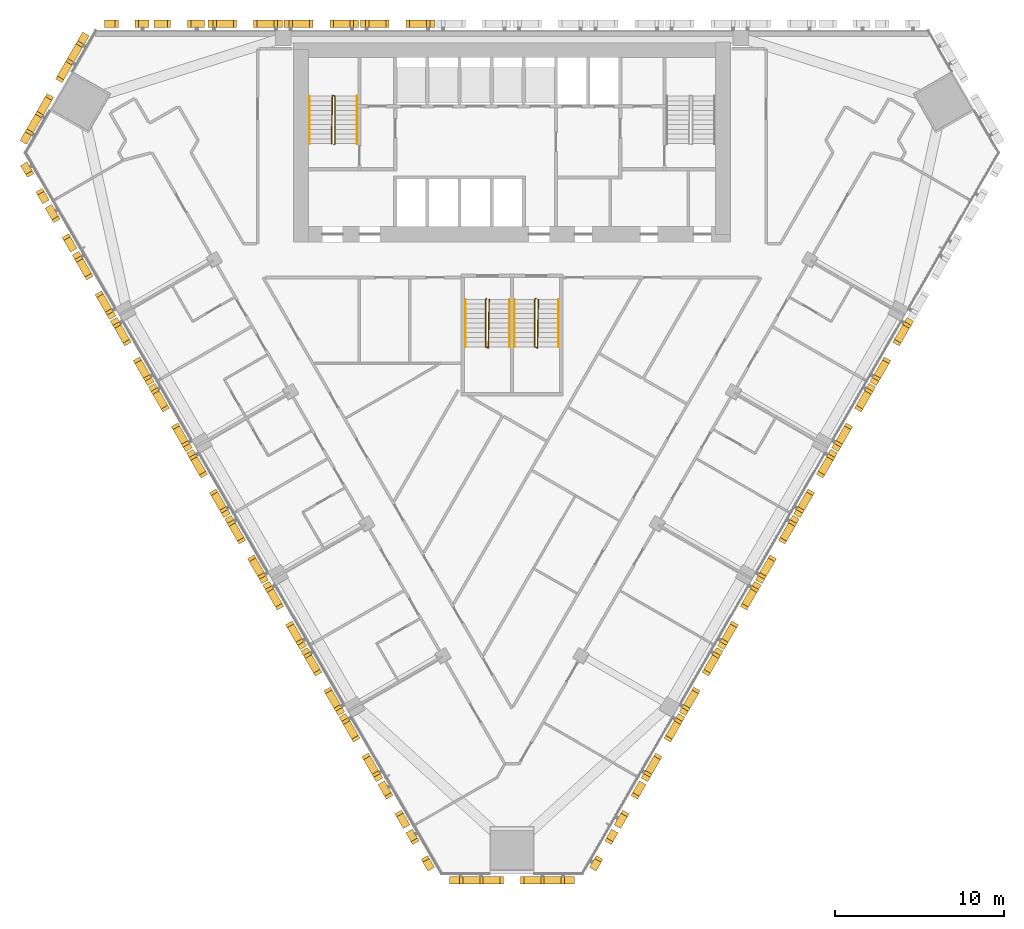
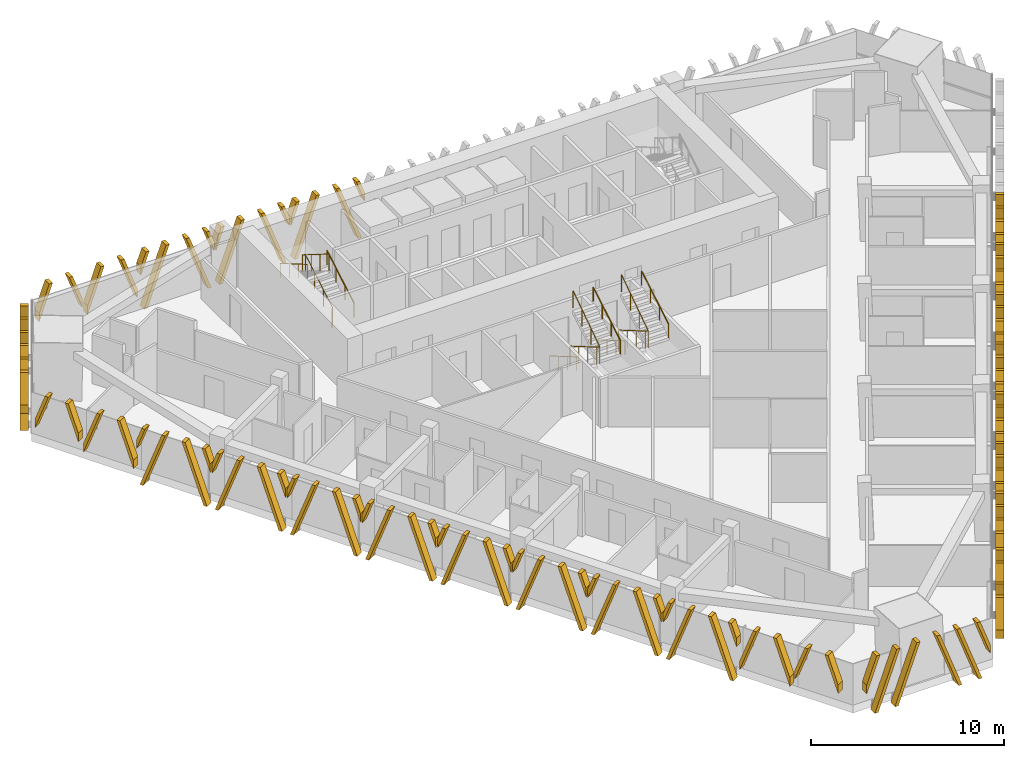
# One storey, part 14 of 16: 28 shading devices, 9 railings.
"""IFC4 building model written with IfcOpenShell, lengths in metres."""

from ifc_helpers import new_model, si_unit, direction, frame, origin, origin_2d, place, context, subcontext, project, spatial, polyline, circle, outline, extrude, source, transform, mapped, material, type_object, element, save


model = new_model("IFC4")

# Units and contexts
model_context = context("Model", 3, precision=1e-05, world=origin(), true_north=direction((0.0, 1.0)))
body_context = subcontext(model_context, "Body", "Model", "MODEL_VIEW")
ifc_project = project(units=[si_unit("LENGTHUNIT", "METRE"), si_unit("AREAUNIT", "SQUARE_METRE"), si_unit("VOLUMEUNIT", "CUBIC_METRE"), si_unit("PLANEANGLEUNIT", "RADIAN"), si_unit("MASSUNIT", "GRAM", prefix="KILO")], contexts=[model_context])

# Site, building, storey
site_placement = place(None, origin())
site = spatial("IfcSite", under=ifc_project, at=site_placement, CompositionType="ELEMENT")
building_placement = place(site_placement, origin())
building = spatial("IfcBuilding", under=site, at=building_placement, Name="Altiplano Prism Tower", CompositionType="ELEMENT")
storey_placement = place(building_placement, frame((0.0, 0.0, 104.39990234375)))
storey = spatial("IfcBuildingStorey", under=building, at=storey_placement, Name="L26", CompositionType="ELEMENT", Elevation=104.39990234375)

# Railings
ifc_material_1 = material(Name="Steel S355", Category="steel")
railing_type_1 = type_object("IfcRailingType", Name="Stair guard 1100", PredefinedType="GUARDRAIL", material=ifc_material_1)
railing_1_placement = place(storey_placement, frame((74.5, 98.25, 0.0)))
element("IfcRailing", 1, at=railing_1_placement, inside=storey, type_object=railing_type_1, Name="L26 ST1 stair guard 1", PredefinedType="GUARDRAIL", context=body_context, shape_type="SweptSolid", body=[
    extrude(circle(Radius=0.02392578125, at=origin_2d()), frame((0.0, 0.0, 1.076171875), z_axis=(0.280456126637, 0.280456126637, 0.917980785237), x_axis=(-0.707106781187, 0.707106781187, 0.0)), (0.0, 0.0, 1.0), 0.178466796875),
    extrude(circle(Radius=0.02392578125, at=origin_2d()), frame((0.050048828125, 0.050048828125, 1.23974609375), z_axis=(0.0, 0.863393664356, 0.504530851732), x_axis=(-1.0, 0.0, 0.0)), (0.0, 0.0, 1.0), 3.2431640625),
    extrude(circle(Radius=0.02392578125, at=origin_2d()), frame((0.050048828125, 2.85009765625, 2.8759765625), z_axis=(-0.949145278916, 0.314838433982, 0.0), x_axis=(-0.314838433982, -0.949145278916, 0.0)), (0.0, 0.0, 1.0), 0.158203125),
    extrude(circle(Radius=0.02392578125, at=origin_2d()), frame((-0.10009765625, 2.89990234375, 2.8759765625), z_axis=(-0.01477401265, -0.845377694409, 0.533964682676), x_axis=(0.999847325713, -0.01747355902, 0.0)), (0.0, 0.0, 1.0), 3.37109375),
    extrude(circle(Radius=0.02099609375, at=origin_2d()), origin(), (0.0, 0.0, 1.0), 1.052001953125),
    extrude(circle(Radius=0.02099609375, at=origin_2d()), frame((0.050048828125, 0.050048828125, 0.163818359375)), (0.0, 0.0, 1.0), 1.052001953125),
    extrude(circle(Radius=0.02099609375, at=origin_2d()), frame((0.050048828125, 0.9833984375, 0.709228515625)), (0.0, 0.0, 1.0), 1.052001953125),
    extrude(circle(Radius=0.02099609375, at=origin_2d()), frame((0.050048828125, 1.916748046875, 1.254638671875)), (0.0, 0.0, 1.0), 1.052001953125),
    extrude(circle(Radius=0.02099609375, at=origin_2d()), frame((0.050048828125, 2.85009765625, 1.800048828125)), (0.0, 0.0, 1.0), 1.052001953125),
    extrude(circle(Radius=0.02099609375, at=origin_2d()), frame((-0.10009765625, 2.89990234375, 1.800048828125)), (0.0, 0.0, 1.0), 1.052001953125),
    extrude(circle(Radius=0.02099609375, at=origin_2d()), frame((-0.11669921875, 1.949951171875, 2.400146484375)), (0.0, 0.0, 1.0), 1.052001953125),
    extrude(circle(Radius=0.02099609375, at=origin_2d()), frame((-0.13330078125, 1.0, 3.0)), (0.0, 0.0, 1.0), 1.052001953125),
    extrude(circle(Radius=0.02099609375, at=origin_2d()), frame((-0.14990234375, 0.050048828125, 3.60009765625)), (0.0, 0.0, 1.0), 1.052001953125),
])
railing_2_placement = place(storey_placement, frame((83.5, 89.14990234375, 0.0)))
element("IfcRailing", 2, at=railing_2_placement, inside=storey, type_object=railing_type_1, Name="L26 ST3A stair guard 1", PredefinedType="GUARDRAIL", context=body_context, shape_type="SweptSolid", body=[
    extrude(circle(Radius=0.02392578125, at=origin_2d()), frame((0.0, 0.0, 1.076171875), z_axis=(-0.280563532951, -0.279194930351, 0.91833234444), x_axis=(0.705375805398, -0.708833529934, 0.0)), (0.0, 0.0, 1.0), 0.178466796875),
    extrude(circle(Radius=0.02392578125, at=origin_2d()), frame((-0.050048828125, -0.0498046875, 1.23974609375), z_axis=(0.0, -0.863393664356, 0.504530851732), x_axis=(1.0, 0.0, 0.0)), (0.0, 0.0, 1.0), 3.2431640625),
    extrude(circle(Radius=0.02392578125, at=origin_2d()), frame((-0.050048828125, -2.849853515625, 2.8759765625), z_axis=(0.948683298051, -0.316227766017, 0.0), x_axis=(0.316227766017, 0.948683298051, 0.0)), (0.0, 0.0, 1.0), 0.158203125),
    extrude(circle(Radius=0.02392578125, at=origin_2d()), frame((0.10009765625, -2.89990234375, 2.8759765625), z_axis=(0.014773108175, 0.84539835705, 0.533931993021), x_axis=(-0.999847351862, 0.017472062685, 0.0)), (0.0, 0.0, 1.0), 3.371337890625),
    extrude(circle(Radius=0.02099609375, at=origin_2d()), origin(), (0.0, 0.0, 1.0), 1.052001953125),
    extrude(circle(Radius=0.02099609375, at=origin_2d()), frame((-0.050048828125, -0.0498046875, 0.163818359375)), (0.0, 0.0, 1.0), 1.052001953125),
    extrude(circle(Radius=0.02099609375, at=origin_2d()), frame((-0.050048828125, -0.983154296875, 0.709228515625)), (0.0, 0.0, 1.0), 1.052001953125),
    extrude(circle(Radius=0.02099609375, at=origin_2d()), frame((-0.050048828125, -1.91650390625, 1.254638671875)), (0.0, 0.0, 1.0), 1.052001953125),
    extrude(circle(Radius=0.02099609375, at=origin_2d()), frame((-0.050048828125, -2.849853515625, 1.800048828125)), (0.0, 0.0, 1.0), 1.052001953125),
    extrude(circle(Radius=0.02099609375, at=origin_2d()), frame((0.10009765625, -2.89990234375, 1.800048828125)), (0.0, 0.0, 1.0), 1.052001953125),
    extrude(circle(Radius=0.02099609375, at=origin_2d()), frame((0.11669921875, -1.949951171875, 2.400146484375)), (0.0, 0.0, 1.0), 1.052001953125),
    extrude(circle(Radius=0.02099609375, at=origin_2d()), frame((0.13330078125, -0.999755859375, 3.0)), (0.0, 0.0, 1.0), 1.052001953125),
    extrude(circle(Radius=0.02099609375, at=origin_2d()), frame((0.14990234375, -0.0498046875, 3.60009765625)), (0.0, 0.0, 1.0), 1.052001953125),
])
railing_3_placement = place(storey_placement, frame((86.39990234375, 89.14990234375, 0.0)))
element("IfcRailing", 3, at=railing_3_placement, inside=storey, type_object=railing_type_1, Name="L26 ST3B stair guard 1", PredefinedType="GUARDRAIL", context=body_context, shape_type="SweptSolid", body=[
    extrude(circle(Radius=0.02392578125, at=origin_2d()), frame((0.0, 0.0, 1.076171875), z_axis=(-0.279301935624, -0.279301935624, 0.918684307863), x_axis=(0.707106781187, -0.707106781187, 0.0)), (0.0, 0.0, 1.0), 0.17822265625),
    extrude(circle(Radius=0.02392578125, at=origin_2d()), frame((-0.0498046875, -0.0498046875, 1.23974609375), z_axis=(0.0, -0.863393664356, 0.504530851732), x_axis=(1.0, 0.0, 0.0)), (0.0, 0.0, 1.0), 3.2431640625),
    extrude(circle(Radius=0.02392578125, at=origin_2d()), frame((-0.0498046875, -2.849853515625, 2.8759765625), z_axis=(0.948528701346, -0.316691178788, 0.0), x_axis=(0.316691178788, 0.948528701346, 0.0)), (0.0, 0.0, 1.0), 0.157958984375),
    extrude(circle(Radius=0.02392578125, at=origin_2d()), frame((0.10009765625, -2.89990234375, 2.8759765625), z_axis=(0.014845509451, 0.845397450405, 0.533931420407), x_axis=(-0.999845851991, 0.017557683712, 0.0)), (0.0, 0.0, 1.0), 3.371337890625),
    extrude(circle(Radius=0.02099609375, at=origin_2d()), origin(), (0.0, 0.0, 1.0), 1.052001953125),
    extrude(circle(Radius=0.02099609375, at=origin_2d()), frame((-0.0498046875, -0.0498046875, 0.163818359375)), (0.0, 0.0, 1.0), 1.052001953125),
    extrude(circle(Radius=0.02099609375, at=origin_2d()), frame((-0.0498046875, -0.983154296875, 0.709228515625)), (0.0, 0.0, 1.0), 1.052001953125),
    extrude(circle(Radius=0.02099609375, at=origin_2d()), frame((-0.0498046875, -1.91650390625, 1.254638671875)), (0.0, 0.0, 1.0), 1.052001953125),
    extrude(circle(Radius=0.02099609375, at=origin_2d()), frame((-0.0498046875, -2.849853515625, 1.800048828125)), (0.0, 0.0, 1.0), 1.052001953125),
    extrude(circle(Radius=0.02099609375, at=origin_2d()), frame((0.10009765625, -2.89990234375, 1.800048828125)), (0.0, 0.0, 1.0), 1.052001953125),
    extrude(circle(Radius=0.02099609375, at=origin_2d()), frame((0.11669921875, -1.949951171875, 2.400146484375)), (0.0, 0.0, 1.0), 1.052001953125),
    extrude(circle(Radius=0.02099609375, at=origin_2d()), frame((0.133544921875, -0.999755859375, 3.0)), (0.0, 0.0, 1.0), 1.052001953125),
    extrude(circle(Radius=0.02099609375, at=origin_2d()), frame((0.150146484375, -0.0498046875, 3.60009765625)), (0.0, 0.0, 1.0), 1.052001953125),
])
railing_type_2 = type_object("IfcRailingType", Name="Stair handrail 900", PredefinedType="HANDRAIL", material=ifc_material_1)
railing_4_placement = place(storey_placement, frame((75.85009765625, 98.300048828125, 0.163818359375)))
element("IfcRailing", 4, at=railing_4_placement, inside=storey, type_object=railing_type_2, Name="L26 ST1 stair handrail 1", PredefinedType="HANDRAIL", context=body_context, shape_type="SweptSolid", body=[
    extrude(circle(Radius=0.02392578125, at=origin_2d()), frame((0.0, 0.0, 0.8759765625), z_axis=(0.0, 0.863393664356, 0.504530851732), x_axis=(-1.0, 0.0, 0.0)), (0.0, 0.0, 1.0), 3.2431640625),
    extrude(circle(Radius=0.02099609375, at=origin_2d()), origin(), (0.0, 0.0, 1.0), 0.851806640625),
    extrude(circle(Radius=0.02099609375, at=origin_2d()), frame((0.0, 0.933349609375, 0.54541015625)), (0.0, 0.0, 1.0), 0.851806640625),
    extrude(circle(Radius=0.02099609375, at=origin_2d()), frame((0.0, 1.86669921875, 1.0908203125)), (0.0, 0.0, 1.0), 0.851806640625),
    extrude(circle(Radius=0.02099609375, at=origin_2d()), frame((0.0, 2.800048828125, 1.63623046875)), (0.0, 0.0, 1.0), 0.851806640625),
])
railing_5_placement = place(storey_placement, frame((73.050048828125, 101.10009765625, 1.963623046875)))
element("IfcRailing", 5, at=railing_5_placement, inside=storey, type_object=railing_type_2, Name="L26 ST1 stair handrail 2", PredefinedType="HANDRAIL", context=body_context, shape_type="SweptSolid", body=[
    extrude(circle(Radius=0.02392578125, at=origin_2d()), frame((0.0, 0.0, 0.8759765625), z_axis=(0.0, -0.863360870873, 0.504586966384), x_axis=(1.0, 0.0, 0.0)), (0.0, 0.0, 1.0), 3.2431640625),
    extrude(circle(Radius=0.02099609375, at=origin_2d()), origin(), (0.0, 0.0, 1.0), 0.851806640625),
    extrude(circle(Radius=0.02099609375, at=origin_2d()), frame((0.0, -0.933349609375, 0.54541015625)), (0.0, 0.0, 1.0), 0.851806640625),
    extrude(circle(Radius=0.02099609375, at=origin_2d()), frame((0.0, -1.86669921875, 1.091064453125)), (0.0, 0.0, 1.0), 0.851806640625),
    extrude(circle(Radius=0.02099609375, at=origin_2d()), frame((0.0, -2.800048828125, 1.636474609375)), (0.0, 0.0, 1.0), 0.851806640625),
])
railing_6_placement = place(storey_placement, frame((82.25, 89.10009765625, 0.163818359375)))
element("IfcRailing", 6, at=railing_6_placement, inside=storey, type_object=railing_type_2, Name="L26 ST3A stair handrail 1", PredefinedType="HANDRAIL", context=body_context, shape_type="SweptSolid", body=[
    extrude(circle(Radius=0.02392578125, at=origin_2d()), frame((0.0, 0.0, 0.8759765625), z_axis=(0.0, -0.863393664356, 0.504530851732), x_axis=(1.0, 0.0, 0.0)), (0.0, 0.0, 1.0), 3.2431640625),
    extrude(circle(Radius=0.02099609375, at=origin_2d()), origin(), (0.0, 0.0, 1.0), 0.851806640625),
    extrude(circle(Radius=0.02099609375, at=origin_2d()), frame((0.0, -0.933349609375, 0.54541015625)), (0.0, 0.0, 1.0), 0.851806640625),
    extrude(circle(Radius=0.02099609375, at=origin_2d()), frame((0.0, -1.86669921875, 1.0908203125)), (0.0, 0.0, 1.0), 0.851806640625),
    extrude(circle(Radius=0.02099609375, at=origin_2d()), frame((0.0, -2.800048828125, 1.63623046875)), (0.0, 0.0, 1.0), 0.851806640625),
])
railing_7_placement = place(storey_placement, frame((84.85009765625, 86.300048828125, 1.963623046875)))
element("IfcRailing", 7, at=railing_7_placement, inside=storey, type_object=railing_type_2, Name="L26 ST3A stair handrail 2", PredefinedType="HANDRAIL", context=body_context, shape_type="SweptSolid", body=[
    extrude(circle(Radius=0.02392578125, at=origin_2d()), frame((0.0, 0.0, 0.8759765625), z_axis=(0.0, 0.863360870873, 0.504586966384), x_axis=(-1.0, 0.0, 0.0)), (0.0, 0.0, 1.0), 3.2431640625),
    extrude(circle(Radius=0.02099609375, at=origin_2d()), origin(), (0.0, 0.0, 1.0), 0.851806640625),
    extrude(circle(Radius=0.02099609375, at=origin_2d()), frame((0.0, 0.933349609375, 0.54541015625)), (0.0, 0.0, 1.0), 0.851806640625),
    extrude(circle(Radius=0.02099609375, at=origin_2d()), frame((0.0, 1.86669921875, 1.091064453125)), (0.0, 0.0, 1.0), 0.851806640625),
    extrude(circle(Radius=0.02099609375, at=origin_2d()), frame((0.0, 2.800048828125, 1.636474609375)), (0.0, 0.0, 1.0), 0.851806640625),
])
railing_8_placement = place(storey_placement, frame((85.14990234375, 89.10009765625, 0.163818359375)))
element("IfcRailing", 8, at=railing_8_placement, inside=storey, type_object=railing_type_2, Name="L26 ST3B stair handrail 1", PredefinedType="HANDRAIL", context=body_context, shape_type="SweptSolid", body=[
    extrude(circle(Radius=0.02392578125, at=origin_2d()), frame((0.0, 0.0, 0.8759765625), z_axis=(0.0, -0.863393664356, 0.504530851732), x_axis=(1.0, 0.0, 0.0)), (0.0, 0.0, 1.0), 3.2431640625),
    extrude(circle(Radius=0.02099609375, at=origin_2d()), origin(), (0.0, 0.0, 1.0), 0.851806640625),
    extrude(circle(Radius=0.02099609375, at=origin_2d()), frame((0.0, -0.933349609375, 0.54541015625)), (0.0, 0.0, 1.0), 0.851806640625),
    extrude(circle(Radius=0.02099609375, at=origin_2d()), frame((0.0, -1.86669921875, 1.0908203125)), (0.0, 0.0, 1.0), 0.851806640625),
    extrude(circle(Radius=0.02099609375, at=origin_2d()), frame((0.0, -2.800048828125, 1.63623046875)), (0.0, 0.0, 1.0), 0.851806640625),
])
railing_9_placement = place(storey_placement, frame((87.75, 86.300048828125, 1.963623046875)))
element("IfcRailing", 9, at=railing_9_placement, inside=storey, type_object=railing_type_2, Name="L26 ST3B stair handrail 2", PredefinedType="HANDRAIL", context=body_context, shape_type="SweptSolid", body=[
    extrude(circle(Radius=0.02392578125, at=origin_2d()), frame((0.0, 0.0, 0.8759765625), z_axis=(0.0, 0.863360870873, 0.504586966384), x_axis=(-1.0, 0.0, 0.0)), (0.0, 0.0, 1.0), 3.2431640625),
    extrude(circle(Radius=0.02099609375, at=origin_2d()), origin(), (0.0, 0.0, 1.0), 0.851806640625),
    extrude(circle(Radius=0.02099609375, at=origin_2d()), frame((0.0, 0.933349609375, 0.54541015625)), (0.0, 0.0, 1.0), 0.851806640625),
    extrude(circle(Radius=0.02099609375, at=origin_2d()), frame((0.0, 1.86669921875, 1.091064453125)), (0.0, 0.0, 1.0), 0.851806640625),
    extrude(circle(Radius=0.02099609375, at=origin_2d()), frame((0.0, 2.800048828125, 1.636474609375)), (0.0, 0.0, 1.0), 0.851806640625),
])

# Shading devices
ifc_material_2 = material(Name="Warm limestone cast stone", Category="masonry")
shading_device_type_1 = type_object("IfcShadingDeviceType", Name="Stone fin panel, standard unit", PredefinedType="USERDEFINED", material=ifc_material_2)
shared_shape_1 = source(origin(), body_context, "Body", "SweptSolid", [
    extrude(outline(polyline([(-2.199951171875, 2.226318359375), (-1.699951171875, 3.60009765625), (-1.89990234375, 3.60009765625), (-2.199951171875, 2.77587890625), (-2.199951171875, 2.226318359375)])), frame((0.0, -0.14990234375, 0.0), z_axis=(0.0, -1.0, 0.0), x_axis=(1.0, 0.0, 0.0)), (0.0, 0.0, 1.0), 0.4501953125),
    extrude(outline(polyline([(-2.01025390625, 0.0), (-1.810302734375, 0.0), (-0.5, 3.60009765625), (-0.699951171875, 3.60009765625), (-2.01025390625, 0.0)])), frame((0.0, -0.14990234375, 0.0), z_axis=(0.0, -1.0, 0.0), x_axis=(1.0, 0.0, 0.0)), (0.0, 0.0, 1.0), 0.4501953125),
    extrude(outline(polyline([(1.810302734375, 0.0), (2.01025390625, 0.0), (0.699951171875, 3.60009765625), (0.5, 3.60009765625), (1.810302734375, 0.0)])), frame((0.0, -0.14990234375, 0.0), z_axis=(0.0, -1.0, 0.0), x_axis=(1.0, 0.0, 0.0)), (0.0, 0.0, 1.0), 0.4501953125),
    extrude(outline(polyline([(2.199951171875, 2.77587890625), (1.89990234375, 3.60009765625), (1.699951171875, 3.60009765625), (2.199951171875, 2.226318359375), (2.199951171875, 2.77587890625)])), frame((0.0, -0.14990234375, 0.0), z_axis=(0.0, -1.0, 0.0), x_axis=(1.0, 0.0, 0.0)), (0.0, 0.0, 1.0), 0.4501953125),
])
shading_device_1_placement = place(storey_placement, origin())
element("IfcShadingDevice", 10, at=shading_device_1_placement, inside=storey, type_object=shading_device_type_1, Name="Fin L26 north face 8", ObjectType="FIN", PredefinedType="USERDEFINED", context=body_context, shape_type="MappedRepresentation", body=[
    mapped(shared_shape_1, transform((78.25, 105.0, -0.5), x_axis=(-1.0, 0.0, 0.0), y_axis=(0.0, -1.0, 0.0), z_axis=(0.0, 0.0, 1.0))),
])
shading_device_2_placement = place(storey_placement, origin())
element("IfcShadingDevice", 11, at=shading_device_2_placement, inside=storey, type_object=shading_device_type_1, Name="Fin L26 north face 9", ObjectType="FIN", PredefinedType="USERDEFINED", context=body_context, shape_type="MappedRepresentation", body=[
    mapped(shared_shape_1, transform((73.75, 105.0, -0.5), x_axis=(-1.0, 0.0, 0.0), y_axis=(0.0, -1.0, 0.0), z_axis=(0.0, 0.0, 1.0))),
])
shading_device_3_placement = place(storey_placement, origin())
element("IfcShadingDevice", 12, at=shading_device_3_placement, inside=storey, type_object=shading_device_type_1, Name="Fin L26 north face 10", ObjectType="FIN", PredefinedType="USERDEFINED", context=body_context, shape_type="MappedRepresentation", body=[
    mapped(shared_shape_1, transform((69.25, 105.0, -0.5), x_axis=(-1.0, 0.0, 0.0), y_axis=(0.0, -1.0, 0.0), z_axis=(0.0, 0.0, 1.0))),
])
shading_device_4_placement = place(storey_placement, origin())
element("IfcShadingDevice", 13, at=shading_device_4_placement, inside=storey, type_object=shading_device_type_1, Name="Fin L26 south-west face 3", ObjectType="FIN", PredefinedType="USERDEFINED", context=body_context, shape_type="MappedRepresentation", body=[
    mapped(shared_shape_1, transform((60.658203125, 90.11865234375, -0.5), x_axis=(0.500000003023, -0.866025402039, 0.0), y_axis=(0.866025402039, 0.500000003023, 0.0), z_axis=(0.0, 0.0, 1.0))),
])
shading_device_5_placement = place(storey_placement, origin())
element("IfcShadingDevice", 14, at=shading_device_5_placement, inside=storey, type_object=shading_device_type_1, Name="Fin L26 south-west face 4", ObjectType="FIN", PredefinedType="USERDEFINED", context=body_context, shape_type="MappedRepresentation", body=[
    mapped(shared_shape_1, transform((62.908203125, 86.221435546875, -0.5), x_axis=(0.500000003023, -0.866025402039, 0.0), y_axis=(0.866025402039, 0.500000003023, 0.0), z_axis=(0.0, 0.0, 1.0))),
])
shading_device_6_placement = place(storey_placement, origin())
element("IfcShadingDevice", 15, at=shading_device_6_placement, inside=storey, type_object=shading_device_type_1, Name="Fin L26 south-west face 5", ObjectType="FIN", PredefinedType="USERDEFINED", context=body_context, shape_type="MappedRepresentation", body=[
    mapped(shared_shape_1, transform((65.158203125, 82.324462890625, -0.5), x_axis=(0.500000003023, -0.866025402039, 0.0), y_axis=(0.866025402039, 0.500000003023, 0.0), z_axis=(0.0, 0.0, 1.0))),
])
shading_device_7_placement = place(storey_placement, origin())
element("IfcShadingDevice", 16, at=shading_device_7_placement, inside=storey, type_object=shading_device_type_1, Name="Fin L26 south-west face 6", ObjectType="FIN", PredefinedType="USERDEFINED", context=body_context, shape_type="MappedRepresentation", body=[
    mapped(shared_shape_1, transform((67.408203125, 78.42724609375, -0.5), x_axis=(0.500000003023, -0.866025402039, 0.0), y_axis=(0.866025402039, 0.500000003023, 0.0), z_axis=(0.0, 0.0, 1.0))),
])
shading_device_8_placement = place(storey_placement, origin())
element("IfcShadingDevice", 17, at=shading_device_8_placement, inside=storey, type_object=shading_device_type_1, Name="Fin L26 south-west face 7", ObjectType="FIN", PredefinedType="USERDEFINED", context=body_context, shape_type="MappedRepresentation", body=[
    mapped(shared_shape_1, transform((69.658203125, 74.5302734375, -0.5), x_axis=(0.500000003023, -0.866025402039, 0.0), y_axis=(0.866025402039, 0.500000003023, 0.0), z_axis=(0.0, 0.0, 1.0))),
])
shading_device_9_placement = place(storey_placement, origin())
element("IfcShadingDevice", 18, at=shading_device_9_placement, inside=storey, type_object=shading_device_type_1, Name="Fin L26 south-west face 8", ObjectType="FIN", PredefinedType="USERDEFINED", context=body_context, shape_type="MappedRepresentation", body=[
    mapped(shared_shape_1, transform((71.908203125, 70.633056640625, -0.5), x_axis=(0.500000003023, -0.866025402039, 0.0), y_axis=(0.866025402039, 0.500000003023, 0.0), z_axis=(0.0, 0.0, 1.0))),
])
shading_device_10_placement = place(storey_placement, origin())
element("IfcShadingDevice", 19, at=shading_device_10_placement, inside=storey, type_object=shading_device_type_1, Name="Fin L26 south-west face 9", ObjectType="FIN", PredefinedType="USERDEFINED", context=body_context, shape_type="MappedRepresentation", body=[
    mapped(shared_shape_1, transform((74.158203125, 66.73583984375, -0.5), x_axis=(0.500000003023, -0.866025402039, 0.0), y_axis=(0.866025402039, 0.500000003023, 0.0), z_axis=(0.0, 0.0, 1.0))),
])
shading_device_11_placement = place(storey_placement, origin())
element("IfcShadingDevice", 20, at=shading_device_11_placement, inside=storey, type_object=shading_device_type_1, Name="Fin L26 south-west face 10", ObjectType="FIN", PredefinedType="USERDEFINED", context=body_context, shape_type="MappedRepresentation", body=[
    mapped(shared_shape_1, transform((76.408203125, 62.8388671875, -0.5), x_axis=(0.500000003023, -0.866025402039, 0.0), y_axis=(0.866025402039, 0.500000003023, 0.0), z_axis=(0.0, 0.0, 1.0))),
])
shading_device_12_placement = place(storey_placement, origin())
element("IfcShadingDevice", 21, at=shading_device_12_placement, inside=storey, type_object=shading_device_type_1, Name="Fin L26 south-east face 3", ObjectType="FIN", PredefinedType="USERDEFINED", context=body_context, shape_type="MappedRepresentation", body=[
    mapped(shared_shape_1, transform((93.591796875, 62.8388671875, -0.5), x_axis=(0.500000003023, 0.866025402039, 0.0), y_axis=(-0.866025402039, 0.500000003023, 0.0), z_axis=(0.0, 0.0, 1.0))),
])
shading_device_13_placement = place(storey_placement, origin())
element("IfcShadingDevice", 22, at=shading_device_13_placement, inside=storey, type_object=shading_device_type_1, Name="Fin L26 south-east face 4", ObjectType="FIN", PredefinedType="USERDEFINED", context=body_context, shape_type="MappedRepresentation", body=[
    mapped(shared_shape_1, transform((95.841796875, 66.73583984375, -0.5), x_axis=(0.500000003023, 0.866025402039, 0.0), y_axis=(-0.866025402039, 0.500000003023, 0.0), z_axis=(0.0, 0.0, 1.0))),
])
shading_device_14_placement = place(storey_placement, origin())
element("IfcShadingDevice", 23, at=shading_device_14_placement, inside=storey, type_object=shading_device_type_1, Name="Fin L26 south-east face 5", ObjectType="FIN", PredefinedType="USERDEFINED", context=body_context, shape_type="MappedRepresentation", body=[
    mapped(shared_shape_1, transform((98.091796875, 70.633056640625, -0.5), x_axis=(0.500000003023, 0.866025402039, 0.0), y_axis=(-0.866025402039, 0.500000003023, 0.0), z_axis=(0.0, 0.0, 1.0))),
])
shading_device_15_placement = place(storey_placement, origin())
element("IfcShadingDevice", 24, at=shading_device_15_placement, inside=storey, type_object=shading_device_type_1, Name="Fin L26 south-east face 6", ObjectType="FIN", PredefinedType="USERDEFINED", context=body_context, shape_type="MappedRepresentation", body=[
    mapped(shared_shape_1, transform((100.341796875, 74.5302734375, -0.5), x_axis=(0.500000003023, 0.866025402039, 0.0), y_axis=(-0.866025402039, 0.500000003023, 0.0), z_axis=(0.0, 0.0, 1.0))),
])
shading_device_16_placement = place(storey_placement, origin())
element("IfcShadingDevice", 25, at=shading_device_16_placement, inside=storey, type_object=shading_device_type_1, Name="Fin L26 south-east face 7", ObjectType="FIN", PredefinedType="USERDEFINED", context=body_context, shape_type="MappedRepresentation", body=[
    mapped(shared_shape_1, transform((102.591796875, 78.42724609375, -0.5), x_axis=(0.500000003023, 0.866025402039, 0.0), y_axis=(-0.866025402039, 0.500000003023, 0.0), z_axis=(0.0, 0.0, 1.0))),
])
shading_device_17_placement = place(storey_placement, origin())
element("IfcShadingDevice", 26, at=shading_device_17_placement, inside=storey, type_object=shading_device_type_1, Name="Fin L26 south-east face 8", ObjectType="FIN", PredefinedType="USERDEFINED", context=body_context, shape_type="MappedRepresentation", body=[
    mapped(shared_shape_1, transform((104.841796875, 82.324462890625, -0.5), x_axis=(0.500000003023, 0.866025402039, 0.0), y_axis=(-0.866025402039, 0.500000003023, 0.0), z_axis=(0.0, 0.0, 1.0))),
])
shading_device_18_placement = place(storey_placement, origin())
element("IfcShadingDevice", 27, at=shading_device_18_placement, inside=storey, type_object=shading_device_type_1, Name="Fin L26 south-east face 9", ObjectType="FIN", PredefinedType="USERDEFINED", context=body_context, shape_type="MappedRepresentation", body=[
    mapped(shared_shape_1, transform((107.091796875, 86.221435546875, -0.5), x_axis=(0.500000003023, 0.866025402039, 0.0), y_axis=(-0.866025402039, 0.500000003023, 0.0), z_axis=(0.0, 0.0, 1.0))),
])
shading_device_type_2 = type_object("IfcShadingDeviceType", Name="Stone fin panel, narrow closing bay", PredefinedType="USERDEFINED", material=ifc_material_2)
shared_shape_2 = source(origin(), body_context, "Body", "SweptSolid", [
    extrude(outline(polyline([(-1.5, 0.8525390625), (-0.5, 3.60009765625), (-0.699951171875, 3.60009765625), (-1.5, 1.402099609375), (-1.5, 0.8525390625)])), frame((0.0, -0.14990234375, 0.0), z_axis=(0.0, -1.0, 0.0), x_axis=(1.0, 0.0, 0.0)), (0.0, 0.0, 1.0), 0.4501953125),
    extrude(outline(polyline([(1.5, 1.402099609375), (0.699951171875, 3.60009765625), (0.5, 3.60009765625), (1.5, 0.8525390625), (1.5, 1.402099609375)])), frame((0.0, -0.14990234375, 0.0), z_axis=(0.0, -1.0, 0.0), x_axis=(1.0, 0.0, 0.0)), (0.0, 0.0, 1.0), 0.4501953125),
])
shading_device_19_placement = place(storey_placement, origin())
element("IfcShadingDevice", 28, at=shading_device_19_placement, inside=storey, type_object=shading_device_type_2, Name="Fin L26 north face 11", ObjectType="FIN", PredefinedType="USERDEFINED", context=body_context, shape_type="MappedRepresentation", body=[
    mapped(shared_shape_2, transform((65.35302734375, 105.0, -0.5), x_axis=(-1.0, 0.0, 0.0), y_axis=(0.0, -1.0, 0.0), z_axis=(0.0, 0.0, 1.0))),
])
shading_device_20_placement = place(storey_placement, origin())
element("IfcShadingDevice", 29, at=shading_device_20_placement, inside=storey, type_object=shading_device_type_2, Name="Fin L26 south-west face 2", ObjectType="FIN", PredefinedType="USERDEFINED", context=body_context, shape_type="MappedRepresentation", body=[
    mapped(shared_shape_2, transform((58.709716796875, 93.49365234375, -0.5), x_axis=(0.500000003023, -0.866025402039, 0.0), y_axis=(0.866025402039, 0.500000003023, 0.0), z_axis=(0.0, 0.0, 1.0))),
])
shading_device_21_placement = place(storey_placement, origin())
element("IfcShadingDevice", 30, at=shading_device_21_placement, inside=storey, type_object=shading_device_type_2, Name="Fin L26 south-west face 11", ObjectType="FIN", PredefinedType="USERDEFINED", context=body_context, shape_type="MappedRepresentation", body=[
    mapped(shared_shape_2, transform((78.356689453125, 59.4638671875, -0.5), x_axis=(0.500000003023, -0.866025402039, 0.0), y_axis=(0.866025402039, 0.500000003023, 0.0), z_axis=(0.0, 0.0, 1.0))),
])
shading_device_22_placement = place(storey_placement, origin())
element("IfcShadingDevice", 31, at=shading_device_22_placement, inside=storey, type_object=shading_device_type_2, Name="Fin L26 south-east face 2", ObjectType="FIN", PredefinedType="USERDEFINED", context=body_context, shape_type="MappedRepresentation", body=[
    mapped(shared_shape_2, transform((91.643310546875, 59.4638671875, -0.5), x_axis=(0.500000003023, 0.866025402039, 0.0), y_axis=(-0.866025402039, 0.500000003023, 0.0), z_axis=(0.0, 0.0, 1.0))),
])
shared_shape_3 = source(origin(), body_context, "Body", "SweptSolid", [
    extrude(outline(polyline([(-1.300048828125, 1.402099609375), (-0.5, 3.60009765625), (-0.699951171875, 3.60009765625), (-1.300048828125, 1.951416015625), (-1.300048828125, 1.402099609375)])), frame((0.0, -0.14990234375, 0.0), z_axis=(0.0, -1.0, 0.0), x_axis=(1.0, 0.0, 0.0)), (0.0, 0.0, 1.0), 0.4501953125),
    extrude(outline(polyline([(1.300048828125, 1.951416015625), (0.699951171875, 3.60009765625), (0.5, 3.60009765625), (1.300048828125, 1.402099609375), (1.300048828125, 1.951416015625)])), frame((0.0, -0.14990234375, 0.0), z_axis=(0.0, -1.0, 0.0), x_axis=(1.0, 0.0, 0.0)), (0.0, 0.0, 1.0), 0.4501953125),
])
shading_device_23_placement = place(storey_placement, origin())
element("IfcShadingDevice", 32, at=shading_device_23_placement, inside=storey, type_object=shading_device_type_2, Name="Fin L26 north face 12", ObjectType="FIN", PredefinedType="USERDEFINED", context=body_context, shape_type="MappedRepresentation", body=[
    mapped(shared_shape_3, transform((62.2587890625, 105.0, -0.5), x_axis=(-1.0, 0.0, 0.0), y_axis=(0.0, -1.0, 0.0), z_axis=(0.0, 0.0, 1.0))),
])
shading_device_24_placement = place(storey_placement, origin())
element("IfcShadingDevice", 33, at=shading_device_24_placement, inside=storey, type_object=shading_device_type_2, Name="Fin L26 south-west face 1", ObjectType="FIN", PredefinedType="USERDEFINED", context=body_context, shape_type="MappedRepresentation", body=[
    mapped(shared_shape_3, transform((57.16259765625, 96.17333984375, -0.5), x_axis=(0.500000003023, -0.866025402039, 0.0), y_axis=(0.866025402039, 0.500000003023, 0.0), z_axis=(0.0, 0.0, 1.0))),
])
shading_device_25_placement = place(storey_placement, origin())
element("IfcShadingDevice", 34, at=shading_device_25_placement, inside=storey, type_object=shading_device_type_2, Name="Fin L26 south-west face 12", ObjectType="FIN", PredefinedType="USERDEFINED", context=body_context, shape_type="MappedRepresentation", body=[
    mapped(shared_shape_3, transform((79.90380859375, 56.7841796875, -0.5), x_axis=(0.500000003023, -0.866025402039, 0.0), y_axis=(0.866025402039, 0.500000003023, 0.0), z_axis=(0.0, 0.0, 1.0))),
])
shading_device_26_placement = place(storey_placement, origin())
element("IfcShadingDevice", 35, at=shading_device_26_placement, inside=storey, type_object=shading_device_type_2, Name="Fin L26 south-east face 1", ObjectType="FIN", PredefinedType="USERDEFINED", context=body_context, shape_type="MappedRepresentation", body=[
    mapped(shared_shape_3, transform((90.09619140625, 56.7841796875, -0.5), x_axis=(0.500000003023, 0.866025402039, 0.0), y_axis=(-0.866025402039, 0.500000003023, 0.0), z_axis=(0.0, 0.0, 1.0))),
])
shading_device_type_3 = type_object("IfcShadingDeviceType", Name="Stone fin panel, chamfer unit", PredefinedType="USERDEFINED", material=ifc_material_2)
shared_shape_4 = source(origin(), body_context, "Body", "SweptSolid", [
    extrude(outline(polyline([(-3.699951171875, 1.402099609375), (-2.89990234375, 3.60009765625), (-3.10009765625, 3.60009765625), (-3.699951171875, 1.951416015625), (-3.699951171875, 1.402099609375)])), frame((0.0, -0.14990234375, 0.0), z_axis=(0.0, -1.0, 0.0), x_axis=(1.0, 0.0, 0.0)), (0.0, 0.0, 1.0), 0.4501953125),
    extrude(outline(polyline([(-3.210205078125, 0.0), (-3.01025390625, 0.0), (-1.699951171875, 3.60009765625), (-1.89990234375, 3.60009765625), (-3.210205078125, 0.0)])), frame((0.0, -0.14990234375, 0.0), z_axis=(0.0, -1.0, 0.0), x_axis=(1.0, 0.0, 0.0)), (0.0, 0.0, 1.0), 0.4501953125),
    extrude(outline(polyline([(-2.01025390625, 0.0), (-1.810302734375, 0.0), (-0.5, 3.60009765625), (-0.699951171875, 3.60009765625), (-2.01025390625, 0.0)])), frame((0.0, -0.14990234375, 0.0), z_axis=(0.0, -1.0, 0.0), x_axis=(1.0, 0.0, 0.0)), (0.0, 0.0, 1.0), 0.4501953125),
    extrude(outline(polyline([(1.810302734375, 0.0), (2.01025390625, 0.0), (0.699951171875, 3.60009765625), (0.5, 3.60009765625), (1.810302734375, 0.0)])), frame((0.0, -0.14990234375, 0.0), z_axis=(0.0, -1.0, 0.0), x_axis=(1.0, 0.0, 0.0)), (0.0, 0.0, 1.0), 0.4501953125),
    extrude(outline(polyline([(3.01025390625, 0.0), (3.210205078125, 0.0), (1.89990234375, 3.60009765625), (1.699951171875, 3.60009765625), (3.01025390625, 0.0)])), frame((0.0, -0.14990234375, 0.0), z_axis=(0.0, -1.0, 0.0), x_axis=(1.0, 0.0, 0.0)), (0.0, 0.0, 1.0), 0.4501953125),
    extrude(outline(polyline([(3.699951171875, 1.951416015625), (3.10009765625, 3.60009765625), (2.89990234375, 3.60009765625), (3.699951171875, 1.402099609375), (3.699951171875, 1.951416015625)])), frame((0.0, -0.14990234375, 0.0), z_axis=(0.0, -1.0, 0.0), x_axis=(1.0, 0.0, 0.0)), (0.0, 0.0, 1.0), 0.4501953125),
])
shading_device_27_placement = place(storey_placement, origin())
element("IfcShadingDevice", 36, at=shading_device_27_placement, inside=storey, type_object=shading_device_type_3, Name="Fin L26 north-west chamfer 1", ObjectType="FIN", PredefinedType="USERDEFINED", context=body_context, shape_type="MappedRepresentation", body=[
    mapped(shared_shape_4, transform((58.325439453125, 101.386474609375, -0.5), x_axis=(-0.500000036, -0.866025383, 0.0), y_axis=(0.866025383, -0.500000036, 0.0), z_axis=(0.0, 0.0, 1.0))),
])
shading_device_28_placement = place(storey_placement, origin())
element("IfcShadingDevice", 37, at=shading_device_28_placement, inside=storey, type_object=shading_device_type_3, Name="Fin L26 south chamfer 1", ObjectType="FIN", PredefinedType="USERDEFINED", context=body_context, shape_type="MappedRepresentation", body=[
    mapped(shared_shape_4, transform((85.0, 55.1845703125, -0.5), x_axis=(1.0, 0.0, 0.0), y_axis=(0.0, 1.0, 0.0), z_axis=(0.0, 0.0, 1.0))),
])

save(model, "model.ifc")
